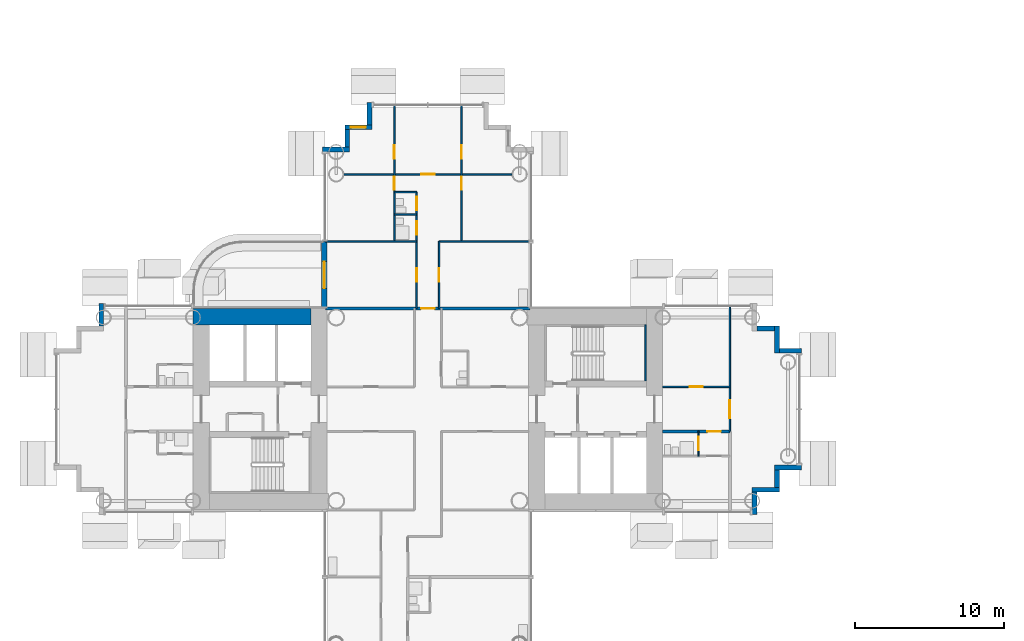
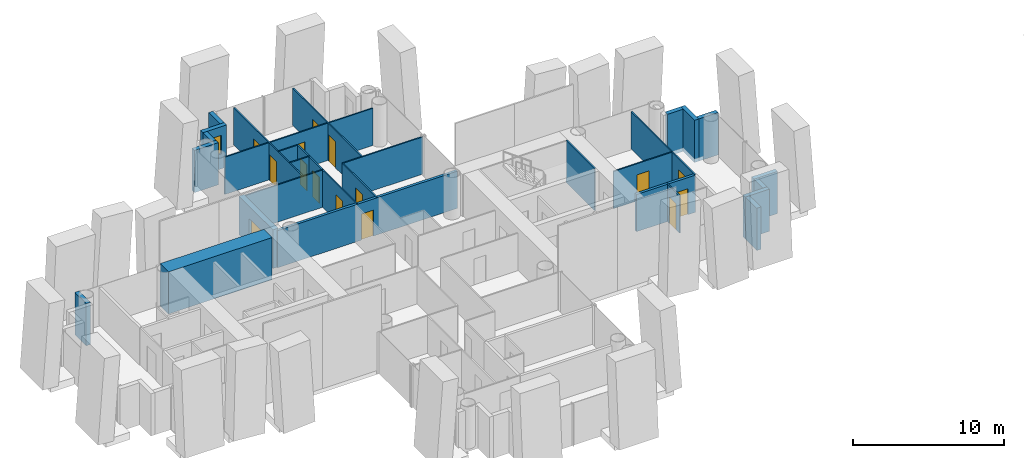
# One storey, part 12 of 25: 29 walls, 15 doors, 1 window, 16 openings.
"""IFC4 building model written with IfcOpenShell, lengths in metres."""

import ifcopenshell
import ifcopenshell.guid

model = None  # the IFC model being written
_history = None  # IfcOwnerHistory: only IFC2X3 demands one
_inside = {}  # id of a spatial element -> (the spatial element, [elements in it])
_under = {}  # id of a project, library or spatial element -> (it, [spatial elements below it])
_declared = {}  # id of a project -> (the project, [libraries it declares])
_typed = {}  # id of a type object -> (the type object, [elements of that type])
_made_of = {}  # id of a material, layer set ... -> (it, [elements and type objects made of it])


def new_model(schema):
    """Start an empty IFC model of exactly this schema.

    Asked for "IFC4X3", IfcOpenShell would pick the latest addendum, in which some entities
    have other attributes; the version numbers below select the first issue.
    IFC2X3 requires an IfcOwnerHistory on every rooted entity: one is made here for all.
    """
    global model, _history
    if schema == "IFC4X3":
        model = ifcopenshell.file(schema_version=(4, 3, 0, 0))
    else:
        model = ifcopenshell.file(schema=schema)
    _inside.clear()
    _under.clear()
    _declared.clear()
    _typed.clear()
    _made_of.clear()
    _history = None
    if model.schema == "IFC2X3":
        org = make("IfcOrganization", Name="unknown")
        user = make(
            "IfcPersonAndOrganization",
            ThePerson=make("IfcPerson", FamilyName="unknown"),
            TheOrganization=org,
        )
        app = make(
            "IfcApplication",
            ApplicationDeveloper=org,
            Version="unknown",
            ApplicationFullName="unknown",
            ApplicationIdentifier="unknown",
        )
        _history = make(
            "IfcOwnerHistory",
            OwningUser=user,
            OwningApplication=app,
            ChangeAction="ADDED",
            CreationDate=0,
        )
    return model


def make(cls, **values):
    """One entity of the class cls with the attributes given. An attribute that is None is left unset."""
    return model.create_entity(
        cls, **{name: value for name, value in values.items() if value is not None}
    )


def rooted(cls, **values):
    """An entity with a GlobalId (a new one), such as an element, a storey or a relation."""
    return make(cls, GlobalId=ifcopenshell.guid.new(), OwnerHistory=_history, **values)


def si_unit(unit_type, name, prefix=None):
    """IfcSIUnit, for example si_unit("LENGTHUNIT", "METRE", prefix="MILLI")."""
    return make("IfcSIUnit", UnitType=unit_type, Prefix=prefix, Name=name)


def assignment(units):
    """IfcUnitAssignment: the units of a project."""
    return None if units is None else make("IfcUnitAssignment", Units=units)


def point(xyz):
    """IfcCartesianPoint."""
    return None if xyz is None else make("IfcCartesianPoint", Coordinates=xyz)


def direction(xyz):
    """IfcDirection."""
    return None if xyz is None else make("IfcDirection", DirectionRatios=xyz)


def frame(location, z_axis=None, x_axis=None):
    """IfcAxis2Placement3D, a coordinate frame: its origin and axes. An axis left out is left unset."""
    return make(
        "IfcAxis2Placement3D",
        Location=point(location),
        Axis=direction(z_axis),
        RefDirection=direction(x_axis),
    )


def frame_2d(location, x_axis=None):
    """IfcAxis2Placement2D, a coordinate frame in the plane: its origin and x axis."""
    return make(
        "IfcAxis2Placement2D", Location=point(location), RefDirection=direction(x_axis)
    )


def origin():
    """The frame at (0, 0, 0) with its axes left unset."""
    return frame((0.0, 0.0, 0.0))


def place(relative_to, where):
    """IfcLocalPlacement: puts the frame where relative to a parent placement (None: the world)."""
    return make(
        "IfcLocalPlacement", PlacementRelTo=relative_to, RelativePlacement=where
    )


def context(
    kind, dimensions, precision=None, world=None, true_north=None, identifier=None
):
    """IfcGeometricRepresentationContext, for example the 3D "Model" context."""
    return make(
        "IfcGeometricRepresentationContext",
        ContextIdentifier=identifier,
        ContextType=kind,
        CoordinateSpaceDimension=dimensions,
        Precision=precision,
        WorldCoordinateSystem=world,
        TrueNorth=true_north,
    )


def subcontext(parent, identifier, kind, view, scale=None):
    """IfcGeometricRepresentationSubContext, for example "Body" below "Model"."""
    return make(
        "IfcGeometricRepresentationSubContext",
        ContextIdentifier=identifier,
        ContextType=kind,
        ParentContext=parent,
        TargetScale=scale,
        TargetView=view,
    )


def project(units=None, contexts=None):
    """IfcProject with its units and contexts."""
    return rooted(
        "IfcProject",
        Name="project",
        RepresentationContexts=contexts,
        UnitsInContext=assignment(units),
    )


def spatial(cls, under=None, at=None, **own):
    """A site, building, storey or space (cls), placed at a placement, below another one or the project."""
    s = rooted(cls, ObjectPlacement=at, **own)
    if under is not None:
        _under.setdefault(under.id(), (under, []))[1].append(s)
    return s


def profile(cls, at=None, kind="AREA", **sizes):
    """A parametric profile (cls). Its sizes go by their IFC names, for example OverallWidth=200.0."""
    return make(cls, ProfileType=kind, Position=at, **sizes)


def rectangle(**sizes):
    """IfcRectangleProfileDef."""
    return profile("IfcRectangleProfileDef", **sizes)


def extrude(swept, where, along, depth):
    """IfcExtrudedAreaSolid: the profile swept, set in the frame where, extruded along a direction by depth."""
    return make(
        "IfcExtrudedAreaSolid",
        SweptArea=swept,
        Position=where,
        ExtrudedDirection=direction(along),
        Depth=depth,
    )


def shape(context_of_items, identifier, shape_type, items):
    """IfcShapeRepresentation: the items that make up one representation, for example the "Body"."""
    return make(
        "IfcShapeRepresentation",
        ContextOfItems=context_of_items,
        RepresentationIdentifier=identifier,
        RepresentationType=shape_type,
        Items=items,
    )


def material(Name=None, Category=None):
    """IfcMaterial."""
    return make("IfcMaterial", Name=Name, Category=Category)


def layer(
    of_material, thickness, ventilated=None, Name=None, Category=None, Priority=None
):
    """IfcMaterialLayer: one layer of a wall or slab, of a material (None: an air gap)."""
    return make(
        "IfcMaterialLayer",
        Material=of_material,
        LayerThickness=thickness,
        IsVentilated=ventilated,
        Name=Name,
        Category=Category,
        Priority=Priority,
    )


def layer_set(layers, Name=None):
    """IfcMaterialLayerSet."""
    return make("IfcMaterialLayerSet", MaterialLayers=layers, LayerSetName=Name)


def made_of(thing, what):
    """Note that an element or type object is made of a material, layer set ...; save() writes the relation."""
    if what is not None:
        _made_of.setdefault(what.id(), (what, []))[1].append(thing)
    return thing


def type_object(cls, material=None, **own):
    """A type object (cls), such as IfcWallType, which elements share."""
    return made_of(rooted(cls, **own), material)


def element(
    cls,
    number,
    at=None,
    inside=None,
    cuts=None,
    type_object=None,
    material=None,
    context=None,
    identifier="Body",
    shape_type=None,
    held_by="IfcProductDefinitionShape",
    body=None,
    shapes=None,
    **own,
):
    """One element of the class cls, such as IfcWall. Its Tag is "e" and its number.

    at: its placement. inside: the storey or other place that contains it. cuts: it is an
    opening in that element (IfcRelVoidsElement). A single representation is given by context,
    identifier, shape_type and body (its items); several are given by shapes. held_by: the class
    of the entity that holds the representations. save() writes the other relations.
    """
    e = rooted(cls, Tag="e%d" % number, ObjectPlacement=at, **own)
    if body is not None:
        shapes = [shape(context, identifier, shape_type, body)]
    if shapes is not None:
        e.Representation = make(held_by, Representations=shapes)
    if inside is not None:
        _inside.setdefault(inside.id(), (inside, []))[1].append(e)
    if cuts is not None:
        rooted(
            "IfcRelVoidsElement", RelatingBuildingElement=cuts, RelatedOpeningElement=e
        )
    if type_object is not None:
        _typed.setdefault(type_object.id(), (type_object, []))[1].append(e)
    return made_of(e, material)


def fill(opening, filler):
    """IfcRelFillsElement: the door or window that sits in an opening."""
    return rooted(
        "IfcRelFillsElement",
        RelatingOpeningElement=opening,
        RelatedBuildingElement=filler,
    )


def aggregate(whole, parts):
    """IfcRelAggregates: a whole, such as a stair, and the parts it consists of."""
    return rooted("IfcRelAggregates", RelatingObject=whole, RelatedObjects=parts)


def save(model, path):
    """Write the relations noted so far, then the file.

    IfcRelAggregates (storeys below a building ...), IfcRelContainedInSpatialStructure (elements
    in a storey), IfcRelDefinesByType, IfcRelAssociatesMaterial and IfcRelDeclares: one each for
    every whole, place, type object, material and project.
    """
    for whole, parts in _under.values():
        aggregate(whole, parts)
    for where, things in _inside.values():
        rooted(
            "IfcRelContainedInSpatialStructure",
            RelatedElements=things,
            RelatingStructure=where,
        )
    for kind, things in _typed.values():
        rooted("IfcRelDefinesByType", RelatedObjects=things, RelatingType=kind)
    for what, things in _made_of.values():
        rooted("IfcRelAssociatesMaterial", RelatedObjects=things, RelatingMaterial=what)
    for by, libraries in _declared.values():
        rooted("IfcRelDeclares", RelatingContext=by, RelatedDefinitions=libraries)
    model.write(path)


model = new_model("IFC4")

# Units and contexts
model_context = context("Model", 3, precision=1e-05, world=origin(), true_north=direction((0.0, 1.0)))
body_context = subcontext(model_context, "Body", "Model", "MODEL_VIEW")
ifc_project = project(units=[si_unit("LENGTHUNIT", "METRE"), si_unit("AREAUNIT", "SQUARE_METRE"), si_unit("VOLUMEUNIT", "CUBIC_METRE"), si_unit("PLANEANGLEUNIT", "RADIAN"), si_unit("MASSUNIT", "GRAM", prefix="KILO")], contexts=[model_context])

# Site, building, storey
site_placement = place(None, origin())
site = spatial("IfcSite", under=ifc_project, at=site_placement, CompositionType="ELEMENT")
building_placement = place(site_placement, origin())
building = spatial("IfcBuilding", under=site, at=building_placement, Name="Ipe Terrace Towers", CompositionType="ELEMENT")
storey_placement = place(building_placement, frame((0.0, 0.0, 31.300048828125)))
storey = spatial("IfcBuildingStorey", under=building, at=storey_placement, Name="L07", CompositionType="ELEMENT", Elevation=31.300048828125)

# Wall, opening, door
ifc_material_1 = material(Name="Concrete C40/50 with buff precast cladding", Category="concrete")
ifc_layer_1 = layer(ifc_material_1, 0.39990234375)
ifc_layer_set_1 = layer_set([ifc_layer_1], Name="BALCONY BAY WALL 400")
wall_type_1 = type_object("IfcWallType", Name="BALCONY BAY WALL 400", PredefinedType="STANDARD", material=ifc_layer_set_1)
wall_1_placement = place(storey_placement, frame((-42.949951171875, 11.25, -0.02001953125), z_axis=(0.0, 0.0, 1.0), x_axis=(0.0, -1.0, 0.0)))
wall_1 = element("IfcWall", 1, at=wall_1_placement, inside=storey, type_object=wall_type_1, Name="T1-W-L07-44a wall", PredefinedType="STANDARD", context=body_context, shape_type="SweptSolid", body=[
    extrude(rectangle(XDim=4.5, YDim=0.39990234375, at=frame_2d((2.25, 0.0))), origin(), (0.0, 0.0, 1.0), 3.119873046875),
])
opening_1_placement = place(wall_1_placement, frame((1.35009765625, 0.0, 0.02001953125)))
opening_1 = element("IfcOpeningElement", 2, at=opening_1_placement, cuts=wall_1, Name="Opening T1-D-L07-44", PredefinedType="OPENING", context=body_context, shape_type="SweptSolid", body=[
    extrude(rectangle(XDim=1.800048828125, YDim=2.10009765625, at=frame_2d((0.89990234375, 1.050048828125))), frame((0.0, 0.2099609375, 0.0), z_axis=(0.0, -1.0, 0.0), x_axis=(1.0, 0.0, 0.0)), (0.0, 0.0, 1.0), 0.419921875),
])
ifc_material_2 = material(Name="Aluminium alloy 6063-T6 framed glazed door", Category="aluminium")
door_type_1 = type_object("IfcDoorType", Name="BALCONY DOOR 1800 x 2100 LEFT", OperationType="SINGLE_SWING_LEFT", PredefinedType="DOOR", material=ifc_material_2)
door_1_placement = place(opening_1_placement, origin())
door_1 = element("IfcDoor", 3, at=door_1_placement, inside=storey, type_object=door_type_1, Name="DB1 door", OperationType="SINGLE_SWING_LEFT", OverallHeight=2.10009765625, OverallWidth=1.800048828125, PredefinedType="DOOR", context=body_context, shape_type="SweptSolid", body=[
    extrude(rectangle(XDim=1.800048828125, YDim=2.10009765625, at=frame_2d((0.89990234375, 1.050048828125))), frame((0.0, 0.02490234375, 0.0), z_axis=(0.0, -1.0, 0.0), x_axis=(1.0, 0.0, 0.0)), (0.0, 0.0, 1.0), 0.050048828125),
])
fill(opening_1, door_1)

# Walls
ifc_material_3 = material(Name="Concrete C40/50 with buff precast cladding", Category="concrete")
ifc_layer_2 = layer(ifc_material_3, 0.320068359375)
ifc_layer_set_2 = layer_set([ifc_layer_2], Name="BUFF CLADDING WALL 320")
wall_type_2 = type_object("IfcWallType", Name="BUFF CLADDING WALL 320", PredefinedType="STANDARD", material=ifc_layer_set_2)
wall_2_placement = place(storey_placement, frame((-14.090087890625, -7.070068359375, -0.300048828125), z_axis=(0.0, 0.0, 1.0), x_axis=(0.0, 1.0, 0.0)))
element("IfcWall", 4, at=wall_2_placement, inside=storey, type_object=wall_type_2, Name="T1-W-L07-21a wall", PredefinedType="STANDARD", context=body_context, shape_type="SweptSolid", body=[
    extrude(rectangle(XDim=1.5, YDim=0.320068359375, at=frame_2d((0.75, 0.0))), origin(), (0.0, 0.0, 1.0), 3.39990234375),
])
wall_3_placement = place(storey_placement, frame((-14.25, -5.409912109375, -0.300048828125), z_axis=(0.0, 0.0, 1.0), x_axis=(1.0, 0.0, 0.0)))
element("IfcWall", 5, at=wall_3_placement, inside=storey, type_object=wall_type_2, Name="T1-W-L07-22a wall", PredefinedType="STANDARD", context=body_context, shape_type="SweptSolid", body=[
    extrude(rectangle(XDim=1.820068359375, YDim=0.320068359375, at=frame_2d((0.91015625, 0.0))), origin(), (0.0, 0.0, 1.0), 3.39990234375),
])
wall_4_placement = place(storey_placement, frame((-12.590087890625, -5.25, -0.300048828125), z_axis=(0.0, 0.0, 1.0), x_axis=(0.0, 1.0, 0.0)))
element("IfcWall", 6, at=wall_4_placement, inside=storey, type_object=wall_type_2, Name="T1-W-L07-23a wall", PredefinedType="STANDARD", context=body_context, shape_type="SweptSolid", body=[
    extrude(rectangle(XDim=1.179931640625, YDim=0.320068359375, at=frame_2d((0.58984375, 0.0))), origin(), (0.0, 0.0, 1.0), 3.39990234375),
])
wall_5_placement = place(storey_placement, frame((-12.75, -3.909912109375, -0.300048828125), z_axis=(0.0, 0.0, 1.0), x_axis=(1.0, 0.0, 0.0)))
element("IfcWall", 7, at=wall_5_placement, inside=storey, type_object=wall_type_2, Name="T1-W-L07-24a wall", PredefinedType="STANDARD", context=body_context, shape_type="SweptSolid", body=[
    extrude(rectangle(XDim=1.820068359375, YDim=0.320068359375, at=frame_2d((0.91015625, 0.0))), origin(), (0.0, 0.0, 1.0), 3.39990234375),
])
wall_6_placement = place(storey_placement, frame((-10.929931640625, 3.909912109375, -0.300048828125), z_axis=(0.0, 0.0, 1.0), x_axis=(-1.0, 0.0, 0.0)))
element("IfcWall", 8, at=wall_6_placement, inside=storey, type_object=wall_type_2, Name="T1-W-L07-26a wall", PredefinedType="STANDARD", context=body_context, shape_type="SweptSolid", body=[
    extrude(rectangle(XDim=1.5, YDim=0.320068359375, at=frame_2d((0.75, 0.0))), origin(), (0.0, 0.0, 1.0), 3.39990234375),
])
wall_7_placement = place(storey_placement, frame((-12.590087890625, 3.75, -0.300048828125), z_axis=(0.0, 0.0, 1.0), x_axis=(0.0, 1.0, 0.0)))
element("IfcWall", 9, at=wall_7_placement, inside=storey, type_object=wall_type_2, Name="T1-W-L07-27a wall", PredefinedType="STANDARD", context=body_context, shape_type="SweptSolid", body=[
    extrude(rectangle(XDim=1.820068359375, YDim=0.320068359375, at=frame_2d((0.91015625, 0.0))), origin(), (0.0, 0.0, 1.0), 3.39990234375),
])
wall_8_placement = place(storey_placement, frame((-12.75, 5.409912109375, -0.300048828125), z_axis=(0.0, 0.0, 1.0), x_axis=(-1.0, 0.0, 0.0)))
element("IfcWall", 10, at=wall_8_placement, inside=storey, type_object=wall_type_2, Name="T1-W-L07-28a wall", PredefinedType="STANDARD", context=body_context, shape_type="SweptSolid", body=[
    extrude(rectangle(XDim=1.179931640625, YDim=0.320068359375, at=frame_2d((0.58984375, 0.0))), origin(), (0.0, 0.0, 1.0), 3.39990234375),
])
wall_9_placement = place(storey_placement, frame((-39.909912109375, 20.570068359375, -0.300048828125), z_axis=(0.0, 0.0, 1.0), x_axis=(0.0, -1.0, 0.0)))
element("IfcWall", 11, at=wall_9_placement, inside=storey, type_object=wall_type_2, Name="T1-W-L07-39a wall", PredefinedType="STANDARD", context=body_context, shape_type="SweptSolid", body=[
    extrude(rectangle(XDim=1.5, YDim=0.320068359375, at=frame_2d((0.75, 0.0))), origin(), (0.0, 0.0, 1.0), 3.39990234375),
])

# Wall, opening, window
wall_10_placement = place(storey_placement, frame((-39.75, 18.909912109375, -0.300048828125), z_axis=(0.0, 0.0, 1.0), x_axis=(-1.0, 0.0, 0.0)))
wall_10 = element("IfcWall", 12, at=wall_10_placement, inside=storey, type_object=wall_type_2, Name="T1-W-L07-40a wall", PredefinedType="STANDARD", context=body_context, shape_type="SweptSolid", body=[
    extrude(rectangle(XDim=1.820068359375, YDim=0.320068359375, at=frame_2d((0.91015625, 0.0))), origin(), (0.0, 0.0, 1.0), 3.39990234375),
])
opening_2_placement = place(wall_10_placement, frame((0.409912109375, 0.0, 1.199951171875)))
opening_2 = element("IfcOpeningElement", 13, at=opening_2_placement, cuts=wall_10, Name="Opening T1-W-05-L07-01", PredefinedType="OPENING", context=body_context, shape_type="SweptSolid", body=[
    extrude(rectangle(XDim=1.0, YDim=1.5, at=frame_2d((0.5, 0.75))), frame((0.0, 0.169921875, 0.0), z_axis=(0.0, -1.0, 0.0), x_axis=(1.0, 0.0, 0.0)), (0.0, 0.0, 1.0), 0.340087890625),
])
ifc_material_4 = material(Name="Glass, clear laminated", Category="glass")
window_type = type_object("IfcWindowType", Name="DWELLING WINDOW 1000 x 1500", PartitioningType="SINGLE_PANEL", PredefinedType="WINDOW", material=ifc_material_4)
window_placement = place(opening_2_placement, origin())
window = element("IfcWindow", 14, at=window_placement, inside=storey, type_object=window_type, Name="W-05 window", OverallHeight=1.5, OverallWidth=1.0, PartitioningType="SINGLE_PANEL", PredefinedType="WINDOW", context=body_context, shape_type="SweptSolid", body=[
    extrude(rectangle(XDim=1.0, YDim=1.5, at=frame_2d((0.5, 0.75))), frame((0.0, 0.030029296875, 0.0), z_axis=(0.0, -1.0, 0.0), x_axis=(1.0, 0.0, 0.0)), (0.0, 0.0, 1.0), 0.06005859375),
])
fill(opening_2, window)

# Walls
wall_11_placement = place(storey_placement, frame((-41.409912109375, 18.75, -0.300048828125), z_axis=(0.0, 0.0, 1.0), x_axis=(0.0, -1.0, 0.0)))
element("IfcWall", 15, at=wall_11_placement, inside=storey, type_object=wall_type_2, Name="T1-W-L07-41a wall", PredefinedType="STANDARD", context=body_context, shape_type="SweptSolid", body=[
    extrude(rectangle(XDim=1.179931640625, YDim=0.320068359375, at=frame_2d((0.58984375, 0.0))), origin(), (0.0, 0.0, 1.0), 3.39990234375),
])
wall_12_placement = place(storey_placement, frame((-41.25, 17.409912109375, -0.300048828125), z_axis=(0.0, 0.0, 1.0), x_axis=(-1.0, 0.0, 0.0)))
element("IfcWall", 16, at=wall_12_placement, inside=storey, type_object=wall_type_2, Name="T1-W-L07-42a wall", PredefinedType="STANDARD", context=body_context, shape_type="SweptSolid", body=[
    extrude(rectangle(XDim=1.820068359375, YDim=0.320068359375, at=frame_2d((0.91015625, 0.0))), origin(), (0.0, 0.0, 1.0), 3.39990234375),
])
wall_13_placement = place(storey_placement, frame((-57.909912109375, 7.070068359375, -0.300048828125), z_axis=(0.0, 0.0, 1.0), x_axis=(0.0, -1.0, 0.0)))
element("IfcWall", 17, at=wall_13_placement, inside=storey, type_object=wall_type_2, Name="T1-W-L07-47a wall", PredefinedType="STANDARD", context=body_context, shape_type="SweptSolid", body=[
    extrude(rectangle(XDim=1.5, YDim=0.320068359375, at=frame_2d((0.75, 0.0))), origin(), (0.0, 0.0, 1.0), 3.39990234375),
])

# Wall, openings, doors
ifc_material_5 = material(Name="Gypsum board partition", Category="plasterboard")
ifc_layer_3 = layer(ifc_material_5, 0.10009765625)
ifc_layer_set_3 = layer_set([ifc_layer_3], Name="Gypsum board partition 100 mm")
wall_type_3 = type_object("IfcWallType", Name="Gypsum board partition 100 mm", PredefinedType="PARTITIONING", material=ifc_layer_set_3)
wall_14_placement = place(storey_placement, frame((-38.25, 11.25, 0.0), z_axis=(0.0, 0.0, 1.0), x_axis=(0.0, 1.0, 0.0)))
wall_14 = element("IfcWall", 18, at=wall_14_placement, inside=storey, type_object=wall_type_3, Name="Gypsum board partition T1 L07 W07", PredefinedType="PARTITIONING", context=body_context, shape_type="SweptSolid", body=[
    extrude(rectangle(XDim=9.10009765625, YDim=0.10009765625, at=frame_2d((4.550048828125, 0.0))), origin(), (0.0, 0.0, 1.0), 3.0),
])
opening_3_placement = place(wall_14_placement, frame((3.449951171875, 0.0, 0.0)))
opening_3 = element("IfcOpeningElement", 19, at=opening_3_placement, cuts=wall_14, Name="Opening T1-Z1A-11", PredefinedType="OPENING", context=body_context, shape_type="SweptSolid", body=[
    extrude(rectangle(XDim=0.89990234375, YDim=2.10009765625, at=frame_2d((0.449951171875, 1.050048828125))), frame((0.0, 0.06005859375, 0.0), z_axis=(0.0, -1.0, 0.0), x_axis=(1.0, 0.0, 0.0)), (0.0, 0.0, 1.0), 0.1201171875),
])
opening_4_placement = place(wall_14_placement, frame((5.550048828125, 0.0, 0.0)))
opening_4 = element("IfcOpeningElement", 20, at=opening_4_placement, cuts=wall_14, Name="Opening T1-Z1A-14", PredefinedType="OPENING", context=body_context, shape_type="SweptSolid", body=[
    extrude(rectangle(XDim=0.89990234375, YDim=2.10009765625, at=frame_2d((0.449951171875, 1.050048828125))), frame((0.0, 0.06005859375, 0.0), z_axis=(0.0, -1.0, 0.0), x_axis=(1.0, 0.0, 0.0)), (0.0, 0.0, 1.0), 0.1201171875),
])
ifc_material_6 = material(Name="Timber door leaf", Category="wood")
door_type_2 = type_object("IfcDoorType", Name="Bedroom door 900 x 2100", OperationType="NOTDEFINED", PredefinedType="DOOR", material=ifc_material_6)
door_2_placement = place(opening_3_placement, origin())
door_2 = element("IfcDoor", 21, at=door_2_placement, inside=storey, type_object=door_type_2, Name="Bedroom door T1-Z1A-11", OperationType="SINGLE_SWING_RIGHT", OverallHeight=2.10009765625, OverallWidth=0.89990234375, PredefinedType="DOOR", context=body_context, shape_type="SweptSolid", body=[
    extrude(rectangle(XDim=0.89990234375, YDim=2.10009765625, at=frame_2d((0.449951171875, 1.050048828125))), frame((0.0, 0.02490234375, 0.0), z_axis=(0.0, -1.0, 0.0), x_axis=(1.0, 0.0, 0.0)), (0.0, 0.0, 1.0), 0.050048828125),
])
fill(opening_3, door_2)
door_3_placement = place(opening_4_placement, origin())
door_3 = element("IfcDoor", 22, at=door_3_placement, inside=storey, type_object=door_type_2, Name="Bedroom door T1-Z1A-14", OperationType="SINGLE_SWING_LEFT", OverallHeight=2.10009765625, OverallWidth=0.89990234375, PredefinedType="DOOR", context=body_context, shape_type="SweptSolid", body=[
    extrude(rectangle(XDim=0.89990234375, YDim=2.10009765625, at=frame_2d((0.449951171875, 1.050048828125))), frame((0.0, 0.02490234375, 0.0), z_axis=(0.0, -1.0, 0.0), x_axis=(1.0, 0.0, 0.0)), (0.0, 0.0, 1.0), 0.050048828125),
])
fill(opening_4, door_3)

wall_15_placement = place(storey_placement, frame((-36.75, 6.75, 0.0), z_axis=(0.0, 0.0, 1.0), x_axis=(0.0, 1.0, 0.0)))
wall_15 = element("IfcWall", 23, at=wall_15_placement, inside=storey, type_object=wall_type_3, Name="Gypsum board partition T1 L07 W12", PredefinedType="PARTITIONING", context=body_context, shape_type="SweptSolid", body=[
    extrude(rectangle(XDim=7.800048828125, YDim=0.10009765625, at=frame_2d((3.89990234375, 0.0))), origin(), (0.0, 0.0, 1.0), 3.0),
])
opening_5_placement = place(wall_15_placement, frame((1.800048828125, 0.0, 0.0)))
opening_5 = element("IfcOpeningElement", 24, at=opening_5_placement, cuts=wall_15, Name="Opening T1-Z1A-06", PredefinedType="OPENING", context=body_context, shape_type="SweptSolid", body=[
    extrude(rectangle(XDim=0.89990234375, YDim=2.10009765625, at=frame_2d((0.449951171875, 1.050048828125))), frame((0.0, 0.06005859375, 0.0), z_axis=(0.0, -1.0, 0.0), x_axis=(1.0, 0.0, 0.0)), (0.0, 0.0, 1.0), 0.1201171875),
])
opening_6_placement = place(wall_15_placement, frame((4.949951171875, 0.0, 0.0)))
opening_6 = element("IfcOpeningElement", 25, at=opening_6_placement, cuts=wall_15, Name="Opening T1-Z1A-09", PredefinedType="OPENING", context=body_context, shape_type="SweptSolid", body=[
    extrude(rectangle(XDim=0.89990234375, YDim=2.10009765625, at=frame_2d((0.449951171875, 1.050048828125))), frame((0.0, 0.06005859375, 0.0), z_axis=(0.0, -1.0, 0.0), x_axis=(1.0, 0.0, 0.0)), (0.0, 0.0, 1.0), 0.1201171875),
])
opening_7_placement = place(wall_15_placement, frame((6.60009765625, 0.0, 0.0)))
opening_7 = element("IfcOpeningElement", 26, at=opening_7_placement, cuts=wall_15, Name="Opening T1-Z1A-10", PredefinedType="OPENING", context=body_context, shape_type="SweptSolid", body=[
    extrude(rectangle(XDim=0.89990234375, YDim=2.10009765625, at=frame_2d((0.449951171875, 1.050048828125))), frame((0.0, 0.06005859375, 0.0), z_axis=(0.0, -1.0, 0.0), x_axis=(1.0, 0.0, 0.0)), (0.0, 0.0, 1.0), 0.1201171875),
])
ifc_material_7 = material(Name="Timber door leaf", Category="wood")
door_type_3 = type_object("IfcDoorType", Name="Bathroom door 900 x 2100", OperationType="NOTDEFINED", PredefinedType="DOOR", material=ifc_material_7)
door_4_placement = place(opening_6_placement, origin())
door_4 = element("IfcDoor", 27, at=door_4_placement, inside=storey, type_object=door_type_3, Name="Bathroom door T1-Z1A-09", OperationType="SINGLE_SWING_LEFT", OverallHeight=2.10009765625, OverallWidth=0.89990234375, PredefinedType="DOOR", context=body_context, shape_type="SweptSolid", body=[
    extrude(rectangle(XDim=0.89990234375, YDim=2.10009765625, at=frame_2d((0.449951171875, 1.050048828125))), frame((0.0, 0.02490234375, 0.0), z_axis=(0.0, -1.0, 0.0), x_axis=(1.0, 0.0, 0.0)), (0.0, 0.0, 1.0), 0.050048828125),
])
fill(opening_6, door_4)
door_5_placement = place(opening_7_placement, origin())
door_5 = element("IfcDoor", 28, at=door_5_placement, inside=storey, type_object=door_type_3, Name="Bathroom door T1-Z1A-10", OperationType="SINGLE_SWING_LEFT", OverallHeight=2.10009765625, OverallWidth=0.89990234375, PredefinedType="DOOR", context=body_context, shape_type="SweptSolid", body=[
    extrude(rectangle(XDim=0.89990234375, YDim=2.10009765625, at=frame_2d((0.449951171875, 1.050048828125))), frame((0.0, 0.02490234375, 0.0), z_axis=(0.0, -1.0, 0.0), x_axis=(1.0, 0.0, 0.0)), (0.0, 0.0, 1.0), 0.050048828125),
])
fill(opening_7, door_5)
ifc_material_8 = material(Name="Timber door leaf", Category="wood")
door_type_4 = type_object("IfcDoorType", Name="Lounge door 900 x 2100", OperationType="NOTDEFINED", PredefinedType="DOOR", material=ifc_material_8)
door_6_placement = place(opening_5_placement, origin())
door_6 = element("IfcDoor", 29, at=door_6_placement, inside=storey, type_object=door_type_4, Name="Lounge door T1-Z1A-06", OperationType="SINGLE_SWING_RIGHT", OverallHeight=2.10009765625, OverallWidth=0.89990234375, PredefinedType="DOOR", context=body_context, shape_type="SweptSolid", body=[
    extrude(rectangle(XDim=0.89990234375, YDim=2.10009765625, at=frame_2d((0.449951171875, 1.050048828125))), frame((0.0, 0.02490234375, 0.0), z_axis=(0.0, -1.0, 0.0), x_axis=(1.0, 0.0, 0.0)), (0.0, 0.0, 1.0), 0.050048828125),
])
fill(opening_5, door_6)

# Wall, opening, door
wall_16_placement = place(storey_placement, frame((-35.25, 6.75, 0.0), z_axis=(0.0, 0.0, 1.0), x_axis=(0.0, 1.0, 0.0)))
wall_16 = element("IfcWall", 30, at=wall_16_placement, inside=storey, type_object=wall_type_3, Name="Gypsum board partition T1 L07 W14", PredefinedType="PARTITIONING", context=body_context, shape_type="SweptSolid", body=[
    extrude(rectangle(XDim=4.5, YDim=0.10009765625, at=frame_2d((2.25, 0.0))), origin(), (0.0, 0.0, 1.0), 3.0),
])
opening_8_placement = place(wall_16_placement, frame((1.800048828125, 0.0, 0.0)))
opening_8 = element("IfcOpeningElement", 31, at=opening_8_placement, cuts=wall_16, Name="Opening T1-Z1A-07", PredefinedType="OPENING", context=body_context, shape_type="SweptSolid", body=[
    extrude(rectangle(XDim=0.89990234375, YDim=2.10009765625, at=frame_2d((0.449951171875, 1.050048828125))), frame((0.0, 0.06005859375, 0.0), z_axis=(0.0, -1.0, 0.0), x_axis=(1.0, 0.0, 0.0)), (0.0, 0.0, 1.0), 0.1201171875),
])
door_7_placement = place(opening_8_placement, origin())
door_7 = element("IfcDoor", 32, at=door_7_placement, inside=storey, type_object=door_type_4, Name="Lounge door T1-Z1A-07", OperationType="SINGLE_SWING_RIGHT", OverallHeight=2.10009765625, OverallWidth=0.89990234375, PredefinedType="DOOR", context=body_context, shape_type="SweptSolid", body=[
    extrude(rectangle(XDim=0.89990234375, YDim=2.10009765625, at=frame_2d((0.449951171875, 1.050048828125))), frame((0.0, 0.02490234375, 0.0), z_axis=(0.0, -1.0, 0.0), x_axis=(1.0, 0.0, 0.0)), (0.0, 0.0, 1.0), 0.050048828125),
])
fill(opening_8, door_7)

# Wall, openings, doors
wall_17_placement = place(storey_placement, frame((-33.75, 11.25, 0.0), z_axis=(0.0, 0.0, 1.0), x_axis=(0.0, 1.0, 0.0)))
wall_17 = element("IfcWall", 33, at=wall_17_placement, inside=storey, type_object=wall_type_3, Name="Gypsum board partition T1 L07 W17", PredefinedType="PARTITIONING", context=body_context, shape_type="SweptSolid", body=[
    extrude(rectangle(XDim=9.10009765625, YDim=0.10009765625, at=frame_2d((4.550048828125, 0.0))), origin(), (0.0, 0.0, 1.0), 3.0),
])
opening_9_placement = place(wall_17_placement, frame((3.449951171875, 0.0, 0.0)))
opening_9 = element("IfcOpeningElement", 34, at=opening_9_placement, cuts=wall_17, Name="Opening T1-Z1A-12", PredefinedType="OPENING", context=body_context, shape_type="SweptSolid", body=[
    extrude(rectangle(XDim=0.89990234375, YDim=2.10009765625, at=frame_2d((0.449951171875, 1.050048828125))), frame((0.0, 0.06005859375, 0.0), z_axis=(0.0, -1.0, 0.0), x_axis=(1.0, 0.0, 0.0)), (0.0, 0.0, 1.0), 0.1201171875),
])
opening_10_placement = place(wall_17_placement, frame((5.550048828125, 0.0, 0.0)))
opening_10 = element("IfcOpeningElement", 35, at=opening_10_placement, cuts=wall_17, Name="Opening T1-Z1A-15", PredefinedType="OPENING", context=body_context, shape_type="SweptSolid", body=[
    extrude(rectangle(XDim=0.89990234375, YDim=2.10009765625, at=frame_2d((0.449951171875, 1.050048828125))), frame((0.0, 0.06005859375, 0.0), z_axis=(0.0, -1.0, 0.0), x_axis=(1.0, 0.0, 0.0)), (0.0, 0.0, 1.0), 0.1201171875),
])
door_8_placement = place(opening_9_placement, origin())
door_8 = element("IfcDoor", 36, at=door_8_placement, inside=storey, type_object=door_type_2, Name="Bedroom door T1-Z1A-12", OperationType="SINGLE_SWING_LEFT", OverallHeight=2.10009765625, OverallWidth=0.89990234375, PredefinedType="DOOR", context=body_context, shape_type="SweptSolid", body=[
    extrude(rectangle(XDim=0.89990234375, YDim=2.10009765625, at=frame_2d((0.449951171875, 1.050048828125))), frame((0.0, 0.02490234375, 0.0), z_axis=(0.0, -1.0, 0.0), x_axis=(1.0, 0.0, 0.0)), (0.0, 0.0, 1.0), 0.050048828125),
])
fill(opening_9, door_8)
door_9_placement = place(opening_10_placement, origin())
door_9 = element("IfcDoor", 37, at=door_9_placement, inside=storey, type_object=door_type_2, Name="Bedroom door T1-Z1A-15", OperationType="SINGLE_SWING_RIGHT", OverallHeight=2.10009765625, OverallWidth=0.89990234375, PredefinedType="DOOR", context=body_context, shape_type="SweptSolid", body=[
    extrude(rectangle(XDim=0.89990234375, YDim=2.10009765625, at=frame_2d((0.449951171875, 1.050048828125))), frame((0.0, 0.02490234375, 0.0), z_axis=(0.0, -1.0, 0.0), x_axis=(1.0, 0.0, 0.0)), (0.0, 0.0, 1.0), 0.050048828125),
])
fill(opening_10, door_9)

# Wall, opening, door
wall_18_placement = place(storey_placement, frame((-17.85009765625, -3.14990234375, 0.0), z_axis=(0.0, 0.0, 1.0), x_axis=(0.0, 1.0, 0.0)))
wall_18 = element("IfcWall", 38, at=wall_18_placement, inside=storey, type_object=wall_type_3, Name="Gypsum board partition T1 L07 W19", PredefinedType="PARTITIONING", context=body_context, shape_type="SweptSolid", body=[
    extrude(rectangle(XDim=1.64990234375, YDim=0.10009765625, at=frame_2d((0.824951171875, 0.0))), origin(), (0.0, 0.0, 1.0), 3.0),
])
opening_11_placement = place(wall_18_placement, frame((0.39990234375, 0.0, 0.0)))
opening_11 = element("IfcOpeningElement", 39, at=opening_11_placement, cuts=wall_18, Name="Opening T1-Z1A-25", PredefinedType="OPENING", context=body_context, shape_type="SweptSolid", body=[
    extrude(rectangle(XDim=0.89990234375, YDim=2.10009765625, at=frame_2d((0.449951171875, 1.050048828125))), frame((0.0, 0.06005859375, 0.0), z_axis=(0.0, -1.0, 0.0), x_axis=(1.0, 0.0, 0.0)), (0.0, 0.0, 1.0), 0.1201171875),
])
door_10_placement = place(opening_11_placement, origin())
door_10 = element("IfcDoor", 40, at=door_10_placement, inside=storey, type_object=door_type_3, Name="Bathroom door T1-Z1A-25", OperationType="SINGLE_SWING_LEFT", OverallHeight=2.10009765625, OverallWidth=0.89990234375, PredefinedType="DOOR", context=body_context, shape_type="SweptSolid", body=[
    extrude(rectangle(XDim=0.89990234375, YDim=2.10009765625, at=frame_2d((0.449951171875, 1.050048828125))), frame((0.0, 0.02490234375, 0.0), z_axis=(0.0, -1.0, 0.0), x_axis=(1.0, 0.0, 0.0)), (0.0, 0.0, 1.0), 0.050048828125),
])
fill(opening_11, door_10)

wall_19_placement = place(storey_placement, frame((-15.75, -1.5, 0.0), z_axis=(0.0, 0.0, 1.0), x_axis=(0.0, 1.0, 0.0)))
wall_19 = element("IfcWall", 41, at=wall_19_placement, inside=storey, type_object=wall_type_3, Name="Gypsum board partition T1 L07 W20", PredefinedType="PARTITIONING", context=body_context, shape_type="SweptSolid", body=[
    extrude(rectangle(XDim=8.35009765625, YDim=0.10009765625, at=frame_2d((4.175048828125, 0.0))), origin(), (0.0, 0.0, 1.0), 3.0),
])
opening_12_placement = place(wall_19_placement, frame((0.89990234375, 0.0, 0.0)))
opening_12 = element("IfcOpeningElement", 42, at=opening_12_placement, cuts=wall_19, Name="Opening T1-Z1A-26", PredefinedType="OPENING", context=body_context, shape_type="SweptSolid", body=[
    extrude(rectangle(XDim=1.199951171875, YDim=2.10009765625, at=frame_2d((0.60009765625, 1.050048828125))), frame((0.0, 0.06005859375, 0.0), z_axis=(0.0, -1.0, 0.0), x_axis=(1.0, 0.0, 0.0)), (0.0, 0.0, 1.0), 0.1201171875),
])
ifc_material_9 = material(Name="Timber door leaf", Category="wood")
door_type_5 = type_object("IfcDoorType", Name="Lounge door 1200 x 2100", OperationType="NOTDEFINED", PredefinedType="DOOR", material=ifc_material_9)
door_11_placement = place(opening_12_placement, origin())
door_11 = element("IfcDoor", 43, at=door_11_placement, inside=storey, type_object=door_type_5, Name="Lounge door T1-Z1A-26", OperationType="SINGLE_SWING_LEFT", OverallHeight=2.10009765625, OverallWidth=1.199951171875, PredefinedType="DOOR", context=body_context, shape_type="SweptSolid", body=[
    extrude(rectangle(XDim=1.199951171875, YDim=2.10009765625, at=frame_2d((0.60009765625, 1.050048828125))), frame((0.0, 0.02490234375, 0.0), z_axis=(0.0, -1.0, 0.0), x_axis=(1.0, 0.0, 0.0)), (0.0, 0.0, 1.0), 0.050048828125),
])
fill(opening_12, door_11)

wall_20_placement = place(storey_placement, frame((-20.25, 1.5, 0.0), z_axis=(0.0, 0.0, 1.0), x_axis=(1.0, 0.0, 0.0)))
wall_20 = element("IfcWall", 44, at=wall_20_placement, inside=storey, type_object=wall_type_3, Name="Gypsum board partition T1 L07 W38", PredefinedType="PARTITIONING", context=body_context, shape_type="SweptSolid", body=[
    extrude(rectangle(XDim=4.5, YDim=0.10009765625, at=frame_2d((2.25, 0.0))), origin(), (0.0, 0.0, 1.0), 3.0),
])
opening_13_placement = place(wall_20_placement, frame((1.800048828125, 0.0, 0.0)))
opening_13 = element("IfcOpeningElement", 45, at=opening_13_placement, cuts=wall_20, Name="Opening T1-Z1A-22", PredefinedType="OPENING", context=body_context, shape_type="SweptSolid", body=[
    extrude(rectangle(XDim=0.89990234375, YDim=2.10009765625, at=frame_2d((0.449951171875, 1.050048828125))), frame((0.0, 0.06005859375, 0.0), z_axis=(0.0, -1.0, 0.0), x_axis=(1.0, 0.0, 0.0)), (0.0, 0.0, 1.0), 0.1201171875),
])
door_12_placement = place(opening_13_placement, origin())
door_12 = element("IfcDoor", 46, at=door_12_placement, inside=storey, type_object=door_type_4, Name="Lounge door T1-Z1A-22", OperationType="SINGLE_SWING_LEFT", OverallHeight=2.10009765625, OverallWidth=0.89990234375, PredefinedType="DOOR", context=body_context, shape_type="SweptSolid", body=[
    extrude(rectangle(XDim=0.89990234375, YDim=2.10009765625, at=frame_2d((0.449951171875, 1.050048828125))), frame((0.0, 0.02490234375, 0.0), z_axis=(0.0, -1.0, 0.0), x_axis=(1.0, 0.0, 0.0)), (0.0, 0.0, 1.0), 0.050048828125),
])
fill(opening_13, door_12)

# Walls
for number, where, z_axis, x_axis, name in (
    (47, (-42.85009765625, 11.25, 0.0), (0.0, 0.0, 1.0), (1.0, 0.0, 0.0), "Gypsum board partition T1 L07 W43"),
    (48, (-35.25, 11.25, 0.0), (0.0, 0.0, 1.0), (1.0, 0.0, 0.0), "Gypsum board partition T1 L07 W44"),
):
    element("IfcWall", number, at=place(storey_placement, frame(where, z_axis=z_axis, x_axis=x_axis)), inside=storey, type_object=wall_type_3, Name=name, PredefinedType="PARTITIONING", context=body_context, shape_type="SweptSolid", body=[
        extrude(rectangle(XDim=6.10009765625, YDim=0.10009765625, at=frame_2d((3.050048828125, 0.0))), origin(), (0.0, 0.0, 1.0), 3.0),
    ])
for number, where, z_axis, x_axis, name in (
    (49, (-38.25, 13.050048828125, 0.0), (0.0, 0.0, 1.0), (1.0, 0.0, 0.0), "Gypsum board partition T1 L07 W45"),
    (50, (-38.25, 14.550048828125, 0.0), (0.0, 0.0, 1.0), (1.0, 0.0, 0.0), "Gypsum board partition T1 L07 W46"),
):
    element("IfcWall", number, at=place(storey_placement, frame(where, z_axis=z_axis, x_axis=x_axis)), inside=storey, type_object=wall_type_3, Name=name, PredefinedType="PARTITIONING", context=body_context, shape_type="SweptSolid", body=[
        extrude(rectangle(XDim=1.5, YDim=0.10009765625, at=frame_2d((0.75, 0.0))), origin(), (0.0, 0.0, 1.0), 3.0),
    ])

# Wall, opening, door
wall_21_placement = place(storey_placement, frame((-41.64990234375, 15.75, 0.0), z_axis=(0.0, 0.0, 1.0), x_axis=(1.0, 0.0, 0.0)))
wall_21 = element("IfcWall", 51, at=wall_21_placement, inside=storey, type_object=wall_type_3, Name="Gypsum board partition T1 L07 W47", PredefinedType="PARTITIONING", context=body_context, shape_type="SweptSolid", body=[
    extrude(rectangle(XDim=11.2998046875, YDim=0.10009765625, at=frame_2d((5.64990234375, 0.0))), origin(), (0.0, 0.0, 1.0), 3.0),
])
opening_14_placement = place(wall_21_placement, frame((5.199951171875, 0.0, 0.0)))
opening_14 = element("IfcOpeningElement", 52, at=opening_14_placement, cuts=wall_21, Name="Opening T1-Z1A-13", PredefinedType="OPENING", context=body_context, shape_type="SweptSolid", body=[
    extrude(rectangle(XDim=0.89990234375, YDim=2.10009765625, at=frame_2d((0.449951171875, 1.050048828125))), frame((0.0, 0.06005859375, 0.0), z_axis=(0.0, -1.0, 0.0), x_axis=(1.0, 0.0, 0.0)), (0.0, 0.0, 1.0), 0.1201171875),
])
door_13_placement = place(opening_14_placement, origin())
door_13 = element("IfcDoor", 53, at=door_13_placement, inside=storey, type_object=door_type_4, Name="Lounge door T1-Z1A-13", OperationType="SINGLE_SWING_LEFT", OverallHeight=2.10009765625, OverallWidth=0.89990234375, PredefinedType="DOOR", context=body_context, shape_type="SweptSolid", body=[
    extrude(rectangle(XDim=0.89990234375, YDim=2.10009765625, at=frame_2d((0.449951171875, 1.050048828125))), frame((0.0, 0.02490234375, 0.0), z_axis=(0.0, -1.0, 0.0), x_axis=(1.0, 0.0, 0.0)), (0.0, 0.0, 1.0), 0.050048828125),
])
fill(opening_14, door_13)

ifc_material_10 = material(Name="Gypsum board party wall", Category="plasterboard")
ifc_layer_4 = layer(ifc_material_10, 0.199951171875)
ifc_layer_set_4 = layer_set([ifc_layer_4], Name="Gypsum board party wall 200 mm")
wall_type_4 = type_object("IfcWallType", Name="Gypsum board party wall 200 mm", PredefinedType="SOLIDWALL", material=ifc_layer_set_4)
wall_22_placement = place(storey_placement, frame((-20.25, -1.5, 0.0), z_axis=(0.0, 0.0, 1.0), x_axis=(1.0, 0.0, 0.0)))
wall_22 = element("IfcWall", 54, at=wall_22_placement, inside=storey, type_object=wall_type_4, Name="Gypsum board party wall T1 L07 W35", PredefinedType="SOLIDWALL", context=body_context, shape_type="SweptSolid", body=[
    extrude(rectangle(XDim=4.5, YDim=0.199951171875, at=frame_2d((2.25, 0.0))), origin(), (0.0, 0.0, 1.0), 3.0),
])
opening_15_placement = place(wall_22_placement, frame((3.0, 0.0, 0.0)))
opening_15 = element("IfcOpeningElement", 55, at=opening_15_placement, cuts=wall_22, Name="Opening T1-Z1A-23", PredefinedType="OPENING", context=body_context, shape_type="SweptSolid", body=[
    extrude(rectangle(XDim=0.89990234375, YDim=2.10009765625, at=frame_2d((0.449951171875, 1.050048828125))), frame((0.0, 0.10986328125, 0.0), z_axis=(0.0, -1.0, 0.0), x_axis=(1.0, 0.0, 0.0)), (0.0, 0.0, 1.0), 0.219970703125),
])
ifc_material_11 = material(Name="Fire-rated timber door leaf", Category="wood")
door_type_6 = type_object("IfcDoorType", Name="Flat entrance door 900 x 2100 FD30S", OperationType="NOTDEFINED", PredefinedType="DOOR", material=ifc_material_11)
door_14_placement = place(opening_15_placement, origin())
door_14 = element("IfcDoor", 56, at=door_14_placement, inside=storey, type_object=door_type_6, Name="Flat entrance door T1-Z1A-23", OperationType="SINGLE_SWING_RIGHT", OverallHeight=2.10009765625, OverallWidth=0.89990234375, PredefinedType="DOOR", context=body_context, shape_type="SweptSolid", body=[
    extrude(rectangle(XDim=0.89990234375, YDim=2.10009765625, at=frame_2d((0.449951171875, 1.050048828125))), frame((0.0, 0.02490234375, 0.0), z_axis=(0.0, -1.0, 0.0), x_axis=(1.0, 0.0, 0.0)), (0.0, 0.0, 1.0), 0.050048828125),
])
fill(opening_15, door_14)

wall_23_placement = place(storey_placement, frame((-42.85009765625, 6.75, 0.0), z_axis=(0.0, 0.0, 1.0), x_axis=(1.0, 0.0, 0.0)))
wall_23 = element("IfcWall", 57, at=wall_23_placement, inside=storey, type_object=wall_type_4, Name="Gypsum board party wall T1 L07 W42", PredefinedType="SOLIDWALL", context=body_context, shape_type="SweptSolid", body=[
    extrude(rectangle(XDim=13.7001953125, YDim=0.199951171875, at=frame_2d((6.85009765625, 0.0))), origin(), (0.0, 0.0, 1.0), 3.0),
])
opening_16_placement = place(wall_23_placement, frame((6.39990234375, 0.0, 0.0)))
opening_16 = element("IfcOpeningElement", 58, at=opening_16_placement, cuts=wall_23, Name="Opening T1-Z1A-08", PredefinedType="OPENING", context=body_context, shape_type="SweptSolid", body=[
    extrude(rectangle(XDim=0.89990234375, YDim=2.10009765625, at=frame_2d((0.449951171875, 1.050048828125))), frame((0.0, 0.10986328125, 0.0), z_axis=(0.0, -1.0, 0.0), x_axis=(1.0, 0.0, 0.0)), (0.0, 0.0, 1.0), 0.219970703125),
])
door_15_placement = place(opening_16_placement, origin())
door_15 = element("IfcDoor", 59, at=door_15_placement, inside=storey, type_object=door_type_6, Name="Flat entrance door T1-Z1A-08", OperationType="SINGLE_SWING_LEFT", OverallHeight=2.10009765625, OverallWidth=0.89990234375, PredefinedType="DOOR", context=body_context, shape_type="SweptSolid", body=[
    extrude(rectangle(XDim=0.89990234375, YDim=2.10009765625, at=frame_2d((0.449951171875, 1.050048828125))), frame((0.0, 0.02490234375, 0.0), z_axis=(0.0, -1.0, 0.0), x_axis=(1.0, 0.0, 0.0)), (0.0, 0.0, 1.0), 0.050048828125),
])
fill(opening_16, door_15)

# Walls
ifc_material_12 = material(Name="Concrete C60/75", Category="concrete")
ifc_layer_5 = layer(ifc_material_12, 0.10009765625)
ifc_layer_set_5 = layer_set([ifc_layer_5], Name="RW100 CORE INFILL WALL 100 C60-75")
wall_type_5 = type_object("IfcWallType", Name="RW100 CORE INFILL WALL 100 C60-75", PredefinedType="SHEAR", material=ifc_layer_set_5)
wall_24_placement = place(storey_placement, frame((-21.39990234375, 1.89990234375, 0.0), z_axis=(0.0, 0.0, 1.0), x_axis=(0.0, 1.0, 0.0)))
element("IfcWall", 60, at=wall_24_placement, inside=storey, type_object=wall_type_5, Name="Core infill wall T1-C1-far", PredefinedType="SHEAR", context=body_context, shape_type="SweptSolid", body=[
    extrude(rectangle(XDim=3.75, YDim=0.10009765625, at=frame_2d((1.875, 0.0))), origin(), (0.0, 0.0, 1.0), 3.39990234375),
])
ifc_material_13 = material(Name="Concrete C60/75", Category="concrete")
ifc_layer_6 = layer(ifc_material_13, 1.10009765625)
ifc_layer_set_6 = layer_set([ifc_layer_6], Name="RW1100 CORE WALL 1100 C60-75")
wall_type_6 = type_object("IfcWallType", Name="RW1100 CORE WALL 1100 C60-75", PredefinedType="SHEAR", material=ifc_layer_set_6)
wall_25_placement = place(storey_placement, frame((-43.85009765625, 6.199951171875, 0.0), z_axis=(0.0, 0.0, 1.0), x_axis=(-1.0, 0.0, 0.0)))
element("IfcWall", 61, at=wall_25_placement, inside=storey, type_object=wall_type_6, Name="Core wall T1-C2-Z1-W03", PredefinedType="SHEAR", context=body_context, shape_type="SweptSolid", body=[
    extrude(rectangle(XDim=7.89990234375, YDim=1.10009765625, at=frame_2d((3.949951171875, 0.0))), origin(), (0.0, 0.0, 1.0), 3.39990234375),
])

save(model, "model.ifc")
